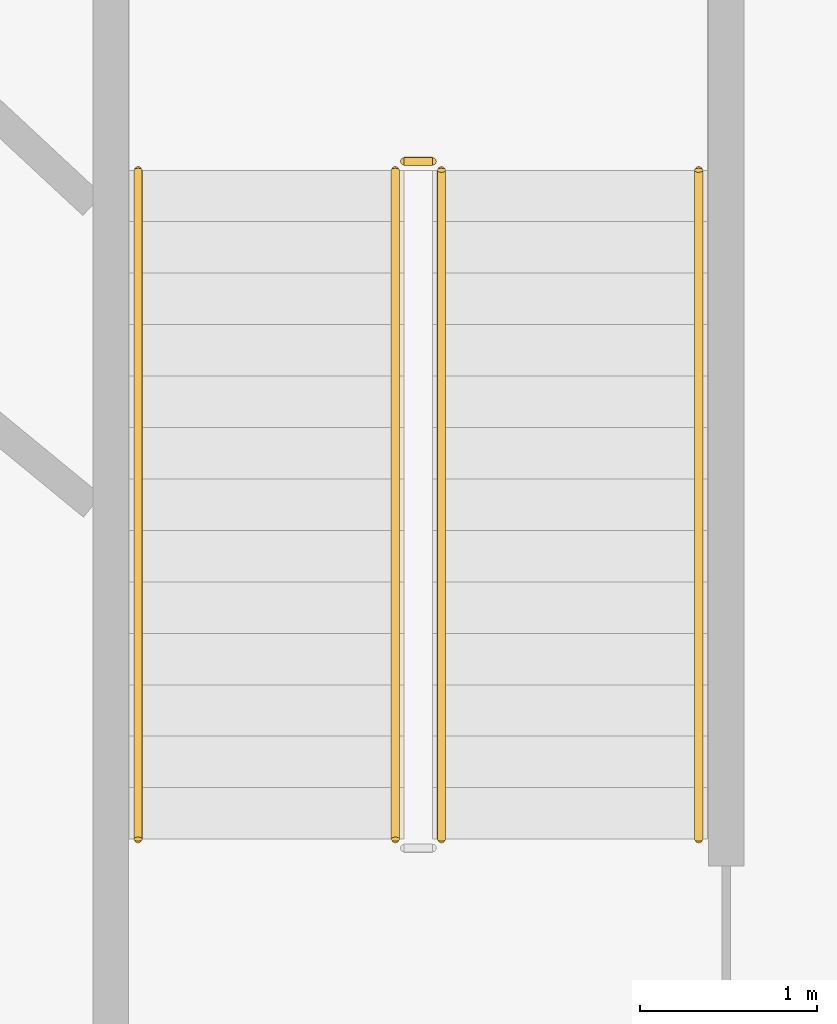
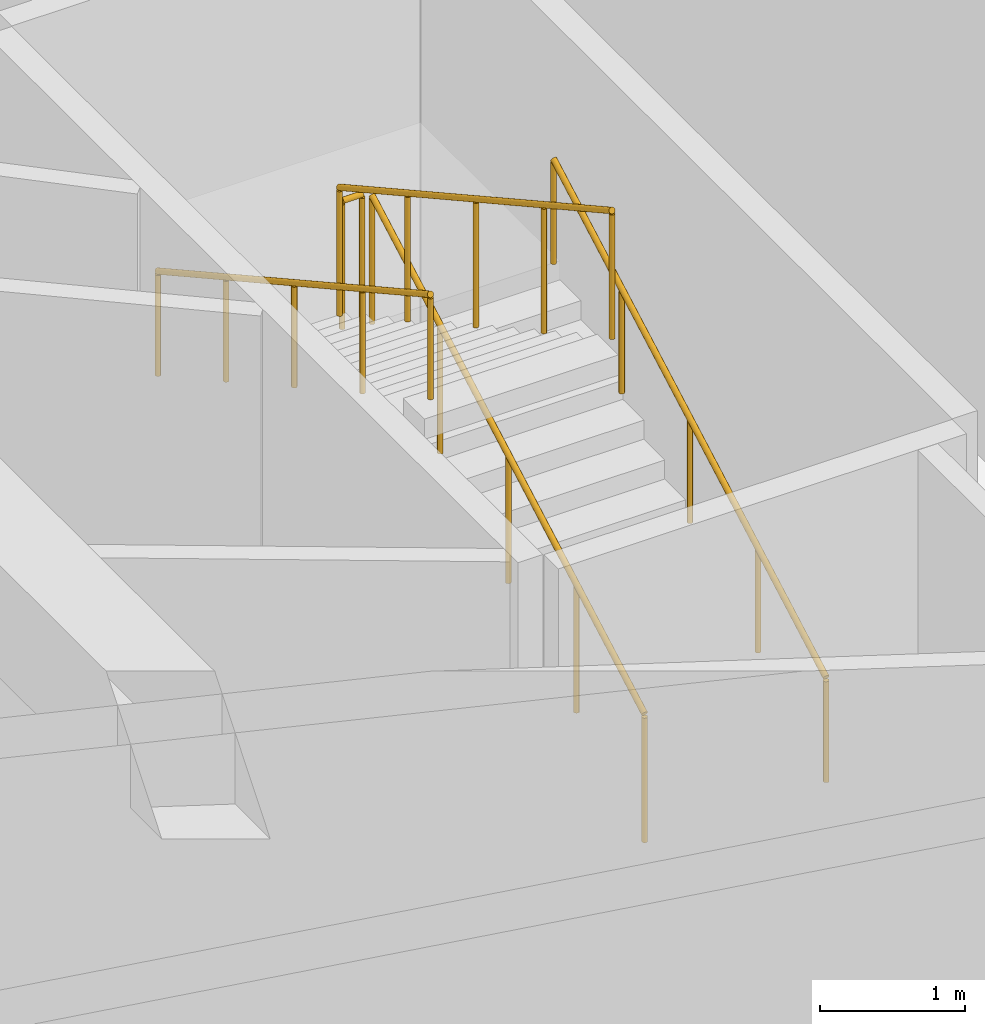
# One storey, part 26 of 30: 5 railings.
"""IFC4 building model written with IfcOpenShell, lengths in metres."""

from ifc_helpers import new_model, si_unit, direction, frame, origin, origin_2d, place, context, subcontext, project, spatial, circle, extrude, material, layer, layer_set, type_object, element, save


model = new_model("IFC4")

# Units and contexts
model_context = context("Model", 3, precision=1e-05, world=origin(), true_north=direction((0.0, 1.0)))
body_context = subcontext(model_context, "Body", "Model", "MODEL_VIEW")
ifc_project = project(units=[si_unit("LENGTHUNIT", "METRE"), si_unit("AREAUNIT", "SQUARE_METRE"), si_unit("VOLUMEUNIT", "CUBIC_METRE"), si_unit("PLANEANGLEUNIT", "RADIAN"), si_unit("MASSUNIT", "GRAM", prefix="KILO")], contexts=[model_context])

# Site, building, storey
site_placement = place(None, origin())
site = spatial("IfcSite", under=ifc_project, at=site_placement, CompositionType="ELEMENT")
building_placement = place(site_placement, origin())
building = spatial("IfcBuilding", under=site, at=building_placement, Name="Karkom Vertical University and Central Library", CompositionType="ELEMENT")
storey_placement = place(building_placement, origin())
storey = spatial("IfcBuildingStorey", under=building, at=storey_placement, Name="L00", CompositionType="ELEMENT", Elevation=0.0)

# Railings
ifc_material_1 = material(Name="Painted galvanised steel balustrade", Category="steel")
ifc_layer_1 = layer(ifc_material_1, 0.06005859375)
ifc_layer_set_1 = layer_set([ifc_layer_1], Name="Painted galvanised steel balustrade")
railing_type_1 = type_object("IfcRailingType", Name="INT-RL-GUARD1100", PredefinedType="GUARDRAIL", material=ifc_layer_set_1)
railing_1_placement = place(storey_placement, frame((14.9599609375, 37.429931640625, 0.16064453125)))
element("IfcRailing", 1, at=railing_1_placement, inside=storey, type_object=railing_type_1, Name="Level 00 POD-ST2 stair guard 1", PredefinedType="GUARDRAIL", context=body_context, shape_type="SweptSolid", body=[
    extrude(circle(Radius=0.02392578125, at=origin_2d()), frame((0.0, 0.0, 1.076171875), z_axis=(0.0, 0.874659101714, 0.484738543742), x_axis=(-1.0, 0.0, 0.0)), (0.0, 0.0, 1.0), 4.310302734375),
    extrude(circle(Radius=0.02099609375, at=origin_2d()), origin(), (0.0, 0.0, 1.0), 1.052001953125),
    extrude(circle(Radius=0.02099609375, at=origin_2d()), frame((0.0, 0.9423828125, 0.5224609375)), (0.0, 0.0, 1.0), 1.052001953125),
    extrude(circle(Radius=0.02099609375, at=origin_2d()), frame((0.0, 1.885009765625, 1.044677734375)), (0.0, 0.0, 1.0), 1.052001953125),
    extrude(circle(Radius=0.02099609375, at=origin_2d()), frame((0.0, 2.82763671875, 1.56689453125)), (0.0, 0.0, 1.0), 1.052001953125),
    extrude(circle(Radius=0.02099609375, at=origin_2d()), frame((0.0, 3.77001953125, 2.08935546875)), (0.0, 0.0, 1.0), 1.052001953125),
])
railing_2_placement = place(storey_placement, frame((14.909912109375, 41.25, 2.25)))
element("IfcRailing", 2, at=railing_2_placement, inside=storey, type_object=railing_type_1, Name="Level 00 POD-ST2 stair guard 2", PredefinedType="GUARDRAIL", context=body_context, shape_type="SweptSolid", body=[
    extrude(circle(Radius=0.02392578125, at=origin_2d()), frame((0.0, 0.0, 1.076171875), z_axis=(-1.0, 0.0, 0.0), x_axis=(0.0, -1.0, 0.0)), (0.0, 0.0, 1.0), 0.159912109375),
    extrude(circle(Radius=0.02099609375, at=origin_2d()), origin(), (0.0, 0.0, 1.0), 1.052001953125),
    extrude(circle(Radius=0.02099609375, at=origin_2d()), frame((-0.159912109375, 0.0, 0.0)), (0.0, 0.0, 1.0), 1.052001953125),
])
railing_3_placement = place(storey_placement, frame((14.699951171875, 41.199951171875, 2.41064453125)))
element("IfcRailing", 3, at=railing_3_placement, inside=storey, type_object=railing_type_1, Name="Level 00 POD-ST2 stair guard 3", PredefinedType="GUARDRAIL", context=body_context, shape_type="SweptSolid", body=[
    extrude(circle(Radius=0.02392578125, at=origin_2d()), frame((0.0, 0.0, 1.076171875), z_axis=(0.0, -0.874659101714, 0.484738543742), x_axis=(1.0, 0.0, 0.0)), (0.0, 0.0, 1.0), 4.310302734375),
    extrude(circle(Radius=0.02099609375, at=origin_2d()), origin(), (0.0, 0.0, 1.0), 1.052001953125),
    extrude(circle(Radius=0.02099609375, at=origin_2d()), frame((0.0, -0.9423828125, 0.5224609375)), (0.0, 0.0, 1.0), 1.052001953125),
    extrude(circle(Radius=0.02099609375, at=origin_2d()), frame((0.0, -1.885009765625, 1.044677734375)), (0.0, 0.0, 1.0), 1.052001953125),
    extrude(circle(Radius=0.02099609375, at=origin_2d()), frame((0.0, -2.82763671875, 1.56689453125)), (0.0, 0.0, 1.0), 1.052001953125),
    extrude(circle(Radius=0.02099609375, at=origin_2d()), frame((0.0, -3.77001953125, 2.08935546875)), (0.0, 0.0, 1.0), 1.052001953125),
])
ifc_material_2 = material(Name="Brushed stainless-steel tubular handrail", Category="steel")
ifc_layer_2 = layer(ifc_material_2, 0.048095703125)
ifc_layer_set_2 = layer_set([ifc_layer_2], Name="Brushed stainless-steel tubular handrail")
railing_type_2 = type_object("IfcRailingType", Name="INT-RL-HAND920", PredefinedType="HANDRAIL", material=ifc_layer_set_2)
railing_4_placement = place(storey_placement, frame((16.409912109375, 37.429931640625, 0.16064453125)))
element("IfcRailing", 4, at=railing_4_placement, inside=storey, type_object=railing_type_2, Name="Level 00 POD-ST2 stair handrail 1", PredefinedType="HANDRAIL", context=body_context, shape_type="SweptSolid", body=[
    extrude(circle(Radius=0.02392578125, at=origin_2d()), frame((0.0, 0.0, 0.8759765625), z_axis=(0.0, 0.874659101714, 0.484738543742), x_axis=(-1.0, 0.0, 0.0)), (0.0, 0.0, 1.0), 4.310302734375),
    extrude(circle(Radius=0.02099609375, at=origin_2d()), origin(), (0.0, 0.0, 1.0), 0.851806640625),
    extrude(circle(Radius=0.02099609375, at=origin_2d()), frame((0.0, 0.9423828125, 0.5224609375)), (0.0, 0.0, 1.0), 0.851806640625),
    extrude(circle(Radius=0.02099609375, at=origin_2d()), frame((0.0, 1.885009765625, 1.044677734375)), (0.0, 0.0, 1.0), 0.851806640625),
    extrude(circle(Radius=0.02099609375, at=origin_2d()), frame((0.0, 2.82763671875, 1.56689453125)), (0.0, 0.0, 1.0), 0.851806640625),
    extrude(circle(Radius=0.02099609375, at=origin_2d()), frame((0.0, 3.77001953125, 2.08935546875)), (0.0, 0.0, 1.0), 0.851806640625),
])
railing_5_placement = place(storey_placement, frame((13.25, 41.199951171875, 2.41064453125)))
element("IfcRailing", 5, at=railing_5_placement, inside=storey, type_object=railing_type_2, Name="Level 00 POD-ST2 stair handrail 2", PredefinedType="HANDRAIL", context=body_context, shape_type="SweptSolid", body=[
    extrude(circle(Radius=0.02392578125, at=origin_2d()), frame((0.0, 0.0, 0.8759765625), z_axis=(0.0, -0.874659101714, 0.484738543742), x_axis=(1.0, 0.0, 0.0)), (0.0, 0.0, 1.0), 4.310302734375),
    extrude(circle(Radius=0.02099609375, at=origin_2d()), origin(), (0.0, 0.0, 1.0), 0.851806640625),
    extrude(circle(Radius=0.02099609375, at=origin_2d()), frame((0.0, -0.9423828125, 0.5224609375)), (0.0, 0.0, 1.0), 0.851806640625),
    extrude(circle(Radius=0.02099609375, at=origin_2d()), frame((0.0, -1.885009765625, 1.044677734375)), (0.0, 0.0, 1.0), 0.851806640625),
    extrude(circle(Radius=0.02099609375, at=origin_2d()), frame((0.0, -2.82763671875, 1.56689453125)), (0.0, 0.0, 1.0), 0.851806640625),
    extrude(circle(Radius=0.02099609375, at=origin_2d()), frame((0.0, -3.77001953125, 2.08935546875)), (0.0, 0.0, 1.0), 0.851806640625),
])

save(model, "model.ifc")
